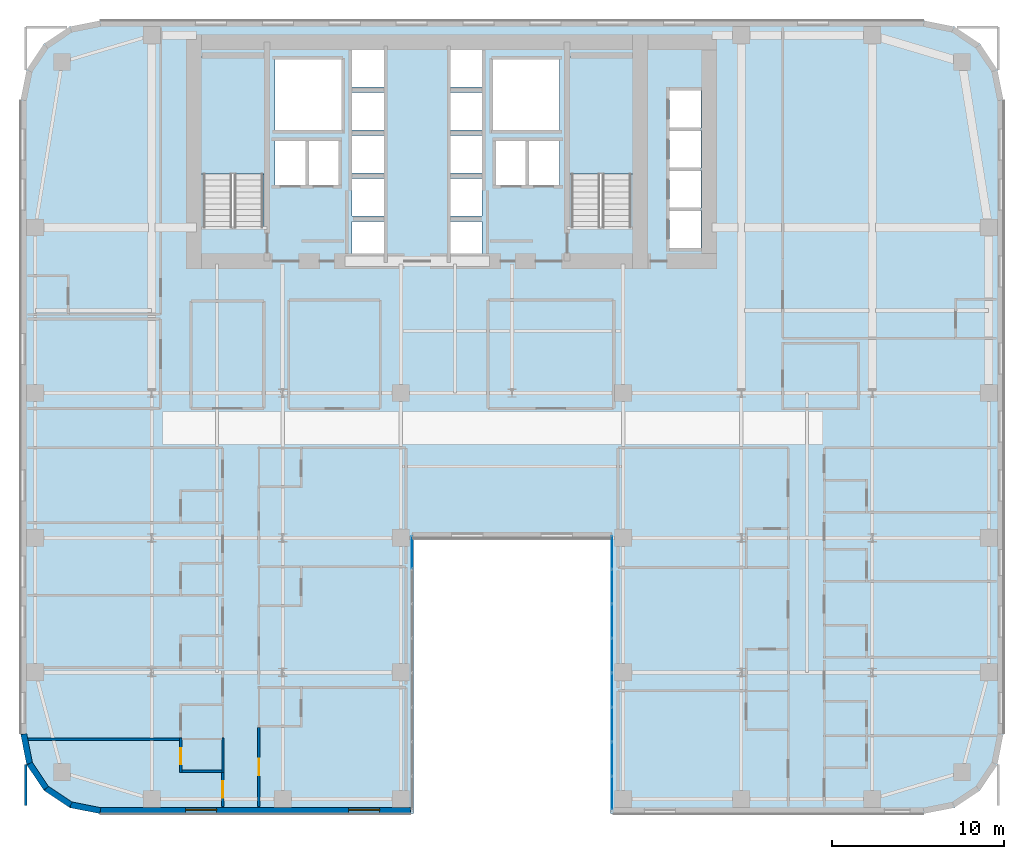
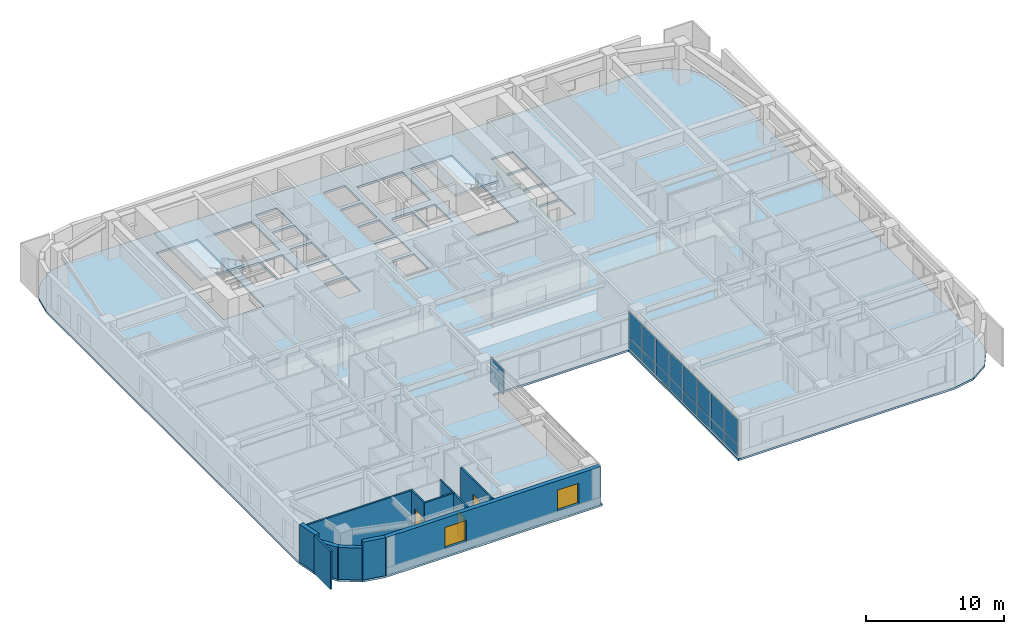
# One storey, part 13 of 25: 17 plates, 12 walls, 3 doors, 3 slabs, 2 windows, 5 openings, 4 elements without a shape of their own.
"""IFC4 building model written with IfcOpenShell, lengths in metres."""

from ifc_helpers import new_model, si_unit, direction, frame, frame_2d, origin, origin_2d, place, context, subcontext, project, spatial, polyline, rectangle, outline, extrude, source, transform, mapped, material, layer, layer_set, type_object, type_shapes, element, fill, aggregate, save


model = new_model("IFC4")

# Units and contexts
model_context = context("Model", 3, precision=1e-05, world=origin(), true_north=direction((0.0, 1.0)))
body_context = subcontext(model_context, "Body", "Model", "MODEL_VIEW")
ifc_project = project(units=[si_unit("LENGTHUNIT", "METRE"), si_unit("AREAUNIT", "SQUARE_METRE"), si_unit("VOLUMEUNIT", "CUBIC_METRE"), si_unit("PLANEANGLEUNIT", "RADIAN"), si_unit("MASSUNIT", "GRAM", prefix="KILO")], contexts=[model_context])

# Site, building, storey
site_placement = place(None, origin())
site = spatial("IfcSite", under=ifc_project, at=site_placement, CompositionType="ELEMENT")
building_placement = place(site_placement, origin())
building = spatial("IfcBuilding", under=site, at=building_placement, Name="Tolvann Quenvar Hotel", CompositionType="ELEMENT")
storey_placement = place(building_placement, frame((0.0, 0.0, 39.10009765625)))
storey = spatial("IfcBuildingStorey", under=building, at=storey_placement, Name="L08", CompositionType="ELEMENT", Elevation=39.10009765625)

# Stair, slab
ifc_material_1 = material(Name="Concrete N40 (40 MPa)", Category="concrete")
stair_type = type_object("IfcStairType", Name="STAIR", PredefinedType="HALF_TURN_STAIR", material=ifc_material_1)
stair_1_placement = place(storey_placement, origin())
stair_1 = element("IfcStair", 1, at=stair_1_placement, inside=storey, type_object=stair_type, Name="L08 ST-C1", PredefinedType="HALF_TURN_STAIR")
ifc_layer_1 = layer(ifc_material_1, 0.199951171875)
ifc_layer_set_1 = layer_set([ifc_layer_1], Name="Concrete N40 (40 MPa)")
slab_type_1 = type_object("IfcSlabType", Name="SLAB_LANDING", PredefinedType="LANDING", material=ifc_layer_set_1)
slab_1_placement = place(storey_placement, frame((0.0, 0.0, 1.574951171875)))
slab_1 = element("IfcSlab", 2, at=slab_1_placement, type_object=slab_type_1, Name="ST-C1 landing 1", PredefinedType="LANDING", context=body_context, shape_type="SweptSolid", body=[
    extrude(outline(polyline([(14.179931640625, 37.10498046875), (14.179931640625, 43.8798828125), (10.469970703125, 43.8798828125), (10.469970703125, 37.10498046875), (14.179931640625, 37.10498046875)])), origin(), (0.0, 0.0, 1.0), 0.199951171875),
])
aggregate(stair_1, [slab_1])

stair_2_placement = place(storey_placement, origin())
stair_2 = element("IfcStair", 3, at=stair_2_placement, inside=storey, type_object=stair_type, Name="L08 ST-C2", PredefinedType="HALF_TURN_STAIR")
slab_2_placement = place(storey_placement, frame((0.0, 0.0, 1.574951171875)))
slab_2 = element("IfcSlab", 4, at=slab_2_placement, type_object=slab_type_1, Name="ST-C2 landing 1", PredefinedType="LANDING", context=body_context, shape_type="SweptSolid", body=[
    extrude(outline(polyline([(35.530029296875, 37.10498046875), (35.530029296875, 43.8798828125), (31.820068359375, 43.8798828125), (31.820068359375, 37.10498046875), (35.530029296875, 37.10498046875)])), origin(), (0.0, 0.0, 1.0), 0.199951171875),
])
aggregate(stair_2, [slab_2])

# Slab
ifc_layer_2 = layer(ifc_material_1, 0.179931640625)
ifc_layer_set_2 = layer_set([ifc_layer_2], Name="Concrete N40 (40 MPa)")
slab_type_2 = type_object("IfcSlabType", Name="SLAB_TWR_180", PredefinedType="FLOOR", material=ifc_layer_set_2)
slab_3_placement = place(storey_placement, frame((0.0, 0.0, -0.18017578125)))
element("IfcSlab", 5, at=slab_3_placement, inside=storey, type_object=slab_type_2, Name="Level L08 Structural Floor Slab", PredefinedType="FLOOR", context=body_context, shape_type="SweptSolid", body=[
    extrude(outline(polyline([(0.0, 4.60009765625), (0.35009765625, 2.839599609375), (1.347412109375, 1.347412109375), (2.839599609375, 0.35009765625), (4.60009765625, 0.0), (22.800048828125, 0.0), (22.800048828125, 16.0), (34.199951171875, 16.0), (34.199951171875, 0.0), (52.39990234375, 0.0), (54.160400390625, 0.35009765625), (55.652587890625, 1.347412109375), (56.64990234375, 2.839599609375), (57.0, 4.60009765625), (57.0, 41.39990234375), (56.64990234375, 43.160400390625), (55.652587890625, 44.652587890625), (54.160400390625, 45.64990234375), (52.39990234375, 46.0), (4.60009765625, 46.0), (2.839599609375, 45.64990234375), (1.347412109375, 44.652587890625), (0.35009765625, 43.160400390625), (0.0, 41.39990234375), (0.0, 4.60009765625)]), holes=[polyline([(37.6298828125, 41.949951171875), (39.469970703125, 41.949951171875), (39.469970703125, 39.77001953125), (37.6298828125, 39.77001953125), (37.6298828125, 41.949951171875)]), polyline([(37.6298828125, 39.6298828125), (39.469970703125, 39.6298828125), (39.469970703125, 37.449951171875), (37.6298828125, 37.449951171875), (37.6298828125, 39.6298828125)]), polyline([(37.6298828125, 37.31005859375), (39.469970703125, 37.31005859375), (39.469970703125, 35.1298828125), (37.6298828125, 35.1298828125), (37.6298828125, 37.31005859375)]), polyline([(37.6298828125, 34.989990234375), (39.469970703125, 34.989990234375), (39.469970703125, 32.81005859375), (37.6298828125, 32.81005859375), (37.6298828125, 34.989990234375)]), polyline([(31.949951171875, 43.800048828125), (35.39990234375, 43.800048828125), (35.39990234375, 34.02490234375), (31.949951171875, 34.02490234375), (31.949951171875, 43.800048828125)]), polyline([(31.25, 39.02001953125), (31.25, 36.47998046875), (29.449951171875, 36.47998046875), (29.449951171875, 39.02001953125), (31.25, 39.02001953125)]), polyline([(31.25, 43.75), (31.25, 39.64990234375), (27.39990234375, 39.64990234375), (27.39990234375, 43.75), (31.25, 43.75)]), polyline([(27.574951171875, 39.02001953125), (29.324951171875, 39.02001953125), (29.324951171875, 36.47998046875), (27.574951171875, 36.47998046875), (27.574951171875, 39.02001953125)]), polyline([(26.77001953125, 36.840087890625), (26.77001953125, 34.659912109375), (24.929931640625, 34.659912109375), (24.929931640625, 36.840087890625), (26.77001953125, 36.840087890625)]), polyline([(26.77001953125, 44.340087890625), (26.77001953125, 42.159912109375), (24.929931640625, 42.159912109375), (24.929931640625, 44.340087890625), (26.77001953125, 44.340087890625)]), polyline([(26.77001953125, 41.840087890625), (26.77001953125, 39.659912109375), (24.929931640625, 39.659912109375), (24.929931640625, 41.840087890625), (26.77001953125, 41.840087890625)]), polyline([(26.77001953125, 39.340087890625), (26.77001953125, 37.159912109375), (24.929931640625, 37.159912109375), (24.929931640625, 39.340087890625), (26.77001953125, 39.340087890625)]), polyline([(24.929931640625, 34.340087890625), (26.77001953125, 34.340087890625), (26.77001953125, 32.159912109375), (24.929931640625, 32.159912109375), (24.929931640625, 34.340087890625)]), polyline([(21.070068359375, 44.340087890625), (21.070068359375, 42.159912109375), (19.22998046875, 42.159912109375), (19.22998046875, 44.340087890625), (21.070068359375, 44.340087890625)]), polyline([(19.22998046875, 41.840087890625), (21.070068359375, 41.840087890625), (21.070068359375, 39.659912109375), (19.22998046875, 39.659912109375), (19.22998046875, 41.840087890625)]), polyline([(21.070068359375, 39.340087890625), (21.070068359375, 37.159912109375), (19.22998046875, 37.159912109375), (19.22998046875, 39.340087890625), (21.070068359375, 39.340087890625)]), polyline([(19.22998046875, 36.840087890625), (21.070068359375, 36.840087890625), (21.070068359375, 34.659912109375), (19.22998046875, 34.659912109375), (19.22998046875, 36.840087890625)]), polyline([(19.22998046875, 34.340087890625), (21.070068359375, 34.340087890625), (21.070068359375, 32.159912109375), (19.22998046875, 32.159912109375), (19.22998046875, 34.340087890625)]), polyline([(18.60009765625, 43.75), (18.60009765625, 39.64990234375), (14.75, 39.64990234375), (14.75, 43.75), (18.60009765625, 43.75)]), polyline([(16.675048828125, 39.02001953125), (18.425048828125, 39.02001953125), (18.425048828125, 36.47998046875), (16.675048828125, 36.47998046875), (16.675048828125, 39.02001953125)]), polyline([(16.550048828125, 39.02001953125), (16.550048828125, 36.47998046875), (14.75, 36.47998046875), (14.75, 39.02001953125), (16.550048828125, 39.02001953125)]), polyline([(10.60009765625, 43.800048828125), (14.050048828125, 43.800048828125), (14.050048828125, 34.02490234375), (10.60009765625, 34.02490234375), (10.60009765625, 43.800048828125)])]), origin(), (0.0, 0.0, 1.0), 0.18017578125),
])

# Curtain wall, plates
ifc_material_2 = material(Name="Thermally broken anodised architectural aluminium 6063-T6 and laminated low-E glass", Category="aluminium")
ifc_layer_3 = layer(ifc_material_2, 0.179931640625)
ifc_layer_set_3 = layer_set([ifc_layer_3], Name="Thermally broken anodised architectural aluminium 6063-T6 and laminated low-E glass")
curtain_wall_type = type_object("IfcCurtainWallType", Name="CW_SYS_SLOT_03", PredefinedType="USERDEFINED", material=ifc_layer_set_3)
curtain_wall_1_placement = place(storey_placement, origin())
curtain_wall_1 = element("IfcCurtainWall", 6, at=curtain_wall_1_placement, inside=storey, type_object=curtain_wall_type, Name="Curtain Wall CW-SLOT-03 (CWR-L08-E07)", ObjectType="UNITISED CURTAIN WALL", PredefinedType="USERDEFINED")
ifc_material_3 = material(Name="Low-iron laminated double glazing with solar-control coating", Category="glass")
ifc_layer_4 = layer(ifc_material_3, 0.028076171875)
ifc_layer_set_4 = layer_set([ifc_layer_4], Name="Low-iron laminated double glazing with solar-control coating")
plate_type = type_object("IfcPlateType", Name="CW_PAN_VISION_28", PredefinedType="CURTAIN_PANEL", material=ifc_layer_set_4)
shared_shape_1 = source(origin(), body_context, "Body", "SweptSolid", [
    extrude(rectangle(XDim=1.89501953125, YDim=0.028076171875, at=origin_2d()), origin(), (0.0, 0.0, 1.0), 0.9599609375),
])
plate_1_placement = place(storey_placement, frame((34.2900390625, 15.157470703125, 0.059814453125), z_axis=(0.0, 0.0, 1.0), x_axis=(0.0, -1.0, 0.0)))
plate_1 = element("IfcPlate", 7, at=plate_1_placement, type_object=plate_type, Name="CW-SLOT-03 panel 1.1", PredefinedType="CURTAIN_PANEL", context=body_context, shape_type="MappedRepresentation", body=[
    mapped(shared_shape_1, transform((0.0, 0.0, 0.0), x_axis=(1.0, 0.0, 0.0), y_axis=(0.0, 1.0, 0.0), z_axis=(0.0, 0.0, 1.0), scale=1.0)),
])
plate_2_placement = place(storey_placement, frame((34.2900390625, 1.1923828125, 0.059814453125), z_axis=(0.0, 0.0, 1.0), x_axis=(0.0, -1.0, 0.0)))
plate_2 = element("IfcPlate", 8, at=plate_2_placement, type_object=plate_type, Name="CW-SLOT-03 panel 8.1", PredefinedType="CURTAIN_PANEL", context=body_context, shape_type="MappedRepresentation", body=[
    mapped(shared_shape_1, transform((0.0, 0.0, 0.0), x_axis=(1.0, 0.0, 0.0), y_axis=(0.0, 1.0, 0.0), z_axis=(0.0, 0.0, 1.0), scale=1.0)),
])

# Curtain wall, plate
curtain_wall_2_placement = place(storey_placement, origin())
curtain_wall_2 = element("IfcCurtainWall", 9, at=curtain_wall_2_placement, inside=storey, type_object=curtain_wall_type, Name="Curtain Wall CW-SLOT-03 (CWR-L08-E05)", ObjectType="UNITISED CURTAIN WALL", PredefinedType="USERDEFINED")
shared_shape_2 = source(origin(), body_context, "Body", "SweptSolid", [
    extrude(rectangle(XDim=1.89501953125, YDim=0.028076171875, at=origin_2d()), origin(), (0.0, 0.0, 1.0), 2.22998046875),
])
plate_3_placement = place(storey_placement, frame((22.7099609375, 15.157470703125, 1.079833984375), z_axis=(0.0, 0.0, 1.0), x_axis=(0.0, 1.0, 0.0)))
plate_3 = element("IfcPlate", 10, at=plate_3_placement, type_object=plate_type, Name="CW-SLOT-03 panel 8.2", PredefinedType="CURTAIN_PANEL", context=body_context, shape_type="MappedRepresentation", body=[
    mapped(shared_shape_2, transform((0.0, 0.0, 0.0), x_axis=(1.0, 0.0, 0.0), y_axis=(0.0, 1.0, 0.0), z_axis=(0.0, 0.0, 1.0), scale=1.0)),
])
aggregate(curtain_wall_2, [plate_3])

# Plate
plate_4_placement = place(storey_placement, frame((34.2900390625, 15.157470703125, 1.079833984375), z_axis=(0.0, 0.0, 1.0), x_axis=(0.0, -1.0, 0.0)))
plate_4 = element("IfcPlate", 11, at=plate_4_placement, type_object=plate_type, Name="CW-SLOT-03 panel 1.2", PredefinedType="CURTAIN_PANEL", context=body_context, shape_type="MappedRepresentation", body=[
    mapped(shared_shape_2, transform((0.0, 0.0, 0.0), x_axis=(1.0, 0.0, 0.0), y_axis=(0.0, 1.0, 0.0), z_axis=(0.0, 0.0, 1.0), scale=1.0)),
])

plate_5_placement = place(storey_placement, frame((34.2900390625, 1.1923828125, 1.079833984375), z_axis=(0.0, 0.0, 1.0), x_axis=(0.0, -1.0, 0.0)))
plate_5 = element("IfcPlate", 12, at=plate_5_placement, type_object=plate_type, Name="CW-SLOT-03 panel 8.2", PredefinedType="CURTAIN_PANEL", context=body_context, shape_type="MappedRepresentation", body=[
    mapped(shared_shape_2, transform((0.0, 0.0, 0.0), x_axis=(1.0, 0.0, 0.0), y_axis=(0.0, 1.0, 0.0), z_axis=(0.0, 0.0, 1.0), scale=1.0)),
])

shared_shape_3 = source(origin(), body_context, "Body", "SweptSolid", [
    extrude(rectangle(XDim=1.929931640625, YDim=0.028076171875, at=origin_2d()), origin(), (0.0, 0.0, 1.0), 0.9599609375),
])
plate_6_placement = place(storey_placement, frame((34.2900390625, 13.175048828125, 0.059814453125), z_axis=(0.0, 0.0, 1.0), x_axis=(0.0, -1.0, 0.0)))
plate_6 = element("IfcPlate", 13, at=plate_6_placement, type_object=plate_type, Name="CW-SLOT-03 panel 2.1", PredefinedType="CURTAIN_PANEL", context=body_context, shape_type="MappedRepresentation", body=[
    mapped(shared_shape_3, transform((0.0, 0.0, 0.0), x_axis=(1.0, 0.0, 0.0), y_axis=(0.0, 1.0, 0.0), z_axis=(0.0, 0.0, 1.0), scale=1.0)),
])

plate_7_placement = place(storey_placement, frame((34.2900390625, 11.175048828125, 0.059814453125), z_axis=(0.0, 0.0, 1.0), x_axis=(0.0, -1.0, 0.0)))
plate_7 = element("IfcPlate", 14, at=plate_7_placement, type_object=plate_type, Name="CW-SLOT-03 panel 3.1", PredefinedType="CURTAIN_PANEL", context=body_context, shape_type="MappedRepresentation", body=[
    mapped(shared_shape_3, transform((0.0, 0.0, 0.0), x_axis=(1.0, 0.0, 0.0), y_axis=(0.0, 1.0, 0.0), z_axis=(0.0, 0.0, 1.0), scale=1.0)),
])

plate_8_placement = place(storey_placement, frame((34.2900390625, 9.175048828125, 0.059814453125), z_axis=(0.0, 0.0, 1.0), x_axis=(0.0, -1.0, 0.0)))
plate_8 = element("IfcPlate", 15, at=plate_8_placement, type_object=plate_type, Name="CW-SLOT-03 panel 4.1", PredefinedType="CURTAIN_PANEL", context=body_context, shape_type="MappedRepresentation", body=[
    mapped(shared_shape_3, transform((0.0, 0.0, 0.0), x_axis=(1.0, 0.0, 0.0), y_axis=(0.0, 1.0, 0.0), z_axis=(0.0, 0.0, 1.0), scale=1.0)),
])

plate_9_placement = place(storey_placement, frame((34.2900390625, 7.175048828125, 0.059814453125), z_axis=(0.0, 0.0, 1.0), x_axis=(0.0, -1.0, 0.0)))
plate_9 = element("IfcPlate", 16, at=plate_9_placement, type_object=plate_type, Name="CW-SLOT-03 panel 5.1", PredefinedType="CURTAIN_PANEL", context=body_context, shape_type="MappedRepresentation", body=[
    mapped(shared_shape_3, transform((0.0, 0.0, 0.0), x_axis=(1.0, 0.0, 0.0), y_axis=(0.0, 1.0, 0.0), z_axis=(0.0, 0.0, 1.0), scale=1.0)),
])

plate_10_placement = place(storey_placement, frame((34.2900390625, 5.175048828125, 0.059814453125), z_axis=(0.0, 0.0, 1.0), x_axis=(0.0, -1.0, 0.0)))
plate_10 = element("IfcPlate", 17, at=plate_10_placement, type_object=plate_type, Name="CW-SLOT-03 panel 6.1", PredefinedType="CURTAIN_PANEL", context=body_context, shape_type="MappedRepresentation", body=[
    mapped(shared_shape_3, transform((0.0, 0.0, 0.0), x_axis=(1.0, 0.0, 0.0), y_axis=(0.0, 1.0, 0.0), z_axis=(0.0, 0.0, 1.0), scale=1.0)),
])

plate_11_placement = place(storey_placement, frame((34.2900390625, 3.175048828125, 0.059814453125), z_axis=(0.0, 0.0, 1.0), x_axis=(0.0, -1.0, 0.0)))
plate_11 = element("IfcPlate", 18, at=plate_11_placement, type_object=plate_type, Name="CW-SLOT-03 panel 7.1", PredefinedType="CURTAIN_PANEL", context=body_context, shape_type="MappedRepresentation", body=[
    mapped(shared_shape_3, transform((0.0, 0.0, 0.0), x_axis=(1.0, 0.0, 0.0), y_axis=(0.0, 1.0, 0.0), z_axis=(0.0, 0.0, 1.0), scale=1.0)),
])

shared_shape_4 = source(origin(), body_context, "Body", "SweptSolid", [
    extrude(rectangle(XDim=1.929931640625, YDim=0.028076171875, at=origin_2d()), origin(), (0.0, 0.0, 1.0), 2.22998046875),
])
type_shapes(plate_type, [shared_shape_1, shared_shape_2, shared_shape_3, shared_shape_4])
plate_12_placement = place(storey_placement, frame((34.2900390625, 13.175048828125, 1.079833984375), z_axis=(0.0, 0.0, 1.0), x_axis=(0.0, -1.0, 0.0)))
plate_12 = element("IfcPlate", 19, at=plate_12_placement, type_object=plate_type, Name="CW-SLOT-03 panel 2.2", PredefinedType="CURTAIN_PANEL", context=body_context, shape_type="MappedRepresentation", body=[
    mapped(shared_shape_4, transform((0.0, 0.0, 0.0), x_axis=(1.0, 0.0, 0.0), y_axis=(0.0, 1.0, 0.0), z_axis=(0.0, 0.0, 1.0), scale=1.0)),
])

plate_13_placement = place(storey_placement, frame((34.2900390625, 11.175048828125, 1.079833984375), z_axis=(0.0, 0.0, 1.0), x_axis=(0.0, -1.0, 0.0)))
plate_13 = element("IfcPlate", 20, at=plate_13_placement, type_object=plate_type, Name="CW-SLOT-03 panel 3.2", PredefinedType="CURTAIN_PANEL", context=body_context, shape_type="MappedRepresentation", body=[
    mapped(shared_shape_4, transform((0.0, 0.0, 0.0), x_axis=(1.0, 0.0, 0.0), y_axis=(0.0, 1.0, 0.0), z_axis=(0.0, 0.0, 1.0), scale=1.0)),
])

plate_14_placement = place(storey_placement, frame((34.2900390625, 9.175048828125, 1.079833984375), z_axis=(0.0, 0.0, 1.0), x_axis=(0.0, -1.0, 0.0)))
plate_14 = element("IfcPlate", 21, at=plate_14_placement, type_object=plate_type, Name="CW-SLOT-03 panel 4.2", PredefinedType="CURTAIN_PANEL", context=body_context, shape_type="MappedRepresentation", body=[
    mapped(shared_shape_4, transform((0.0, 0.0, 0.0), x_axis=(1.0, 0.0, 0.0), y_axis=(0.0, 1.0, 0.0), z_axis=(0.0, 0.0, 1.0), scale=1.0)),
])

plate_15_placement = place(storey_placement, frame((34.2900390625, 7.175048828125, 1.079833984375), z_axis=(0.0, 0.0, 1.0), x_axis=(0.0, -1.0, 0.0)))
plate_15 = element("IfcPlate", 22, at=plate_15_placement, type_object=plate_type, Name="CW-SLOT-03 panel 5.2", PredefinedType="CURTAIN_PANEL", context=body_context, shape_type="MappedRepresentation", body=[
    mapped(shared_shape_4, transform((0.0, 0.0, 0.0), x_axis=(1.0, 0.0, 0.0), y_axis=(0.0, 1.0, 0.0), z_axis=(0.0, 0.0, 1.0), scale=1.0)),
])

plate_16_placement = place(storey_placement, frame((34.2900390625, 5.175048828125, 1.079833984375), z_axis=(0.0, 0.0, 1.0), x_axis=(0.0, -1.0, 0.0)))
plate_16 = element("IfcPlate", 23, at=plate_16_placement, type_object=plate_type, Name="CW-SLOT-03 panel 6.2", PredefinedType="CURTAIN_PANEL", context=body_context, shape_type="MappedRepresentation", body=[
    mapped(shared_shape_4, transform((0.0, 0.0, 0.0), x_axis=(1.0, 0.0, 0.0), y_axis=(0.0, 1.0, 0.0), z_axis=(0.0, 0.0, 1.0), scale=1.0)),
])

plate_17_placement = place(storey_placement, frame((34.2900390625, 3.175048828125, 1.079833984375), z_axis=(0.0, 0.0, 1.0), x_axis=(0.0, -1.0, 0.0)))
plate_17 = element("IfcPlate", 24, at=plate_17_placement, type_object=plate_type, Name="CW-SLOT-03 panel 7.2", PredefinedType="CURTAIN_PANEL", context=body_context, shape_type="MappedRepresentation", body=[
    mapped(shared_shape_4, transform((0.0, 0.0, 0.0), x_axis=(1.0, 0.0, 0.0), y_axis=(0.0, 1.0, 0.0), z_axis=(0.0, 0.0, 1.0), scale=1.0)),
])

aggregate(curtain_wall_1, [plate_1, plate_4, plate_6, plate_12, plate_7, plate_13, plate_8, plate_14, plate_9, plate_15, plate_10, plate_16, plate_11, plate_17, plate_2, plate_5])

# Walls
ifc_material_4 = material(Name="Kiln-fired red and buff architectural clay brickwork and terracotta masonry", Category="masonry")
ifc_layer_5 = layer(ifc_material_4, 0.35009765625)
ifc_layer_set_5 = layer_set([ifc_layer_5], Name="Kiln-fired red and buff architectural clay brickwork and terracotta masonry")
wall_type_1 = type_object("IfcWallType", Name="WALL_EXT_BRICK_350", PredefinedType="SOLIDWALL", material=ifc_layer_set_5)
for number, where, z_axis, x_axis, name in (
    (25, (0.514892578125, 2.907958984375, 0.0), (0.0, 0.0, 1.0), (0.55554893791, -0.831483840845, 0.0), "Exterior Chicago Brick Wall L08-E01"),
    (26, (1.473388671875, 1.473388671875, 0.0), (0.0, 0.0, 1.0), (0.831483840845, -0.55554893791, 0.0), "Exterior Chicago Brick Wall L08-E02"),
):
    element("IfcWall", number, at=place(storey_placement, frame(where, z_axis=z_axis, x_axis=x_axis)), inside=storey, type_object=wall_type_1, Name=name, PredefinedType="SOLIDWALL", context=body_context, shape_type="SweptSolid", body=[
        extrude(rectangle(XDim=1.725341796875, YDim=0.35009765625, at=frame_2d((0.86279296875, 0.0))), origin(), (0.0, 0.0, 1.0), 2.831787109375),
    ])
wall_1_placement = place(storey_placement, frame((2.907958984375, 0.514892578125, 0.0), z_axis=(0.0, 0.0, 1.0), x_axis=(0.980800971659, -0.195011420161, 0.0)))
element("IfcWall", 27, at=wall_1_placement, inside=storey, type_object=wall_type_1, Name="Exterior Chicago Brick Wall L08-E03", PredefinedType="SOLIDWALL", context=body_context, shape_type="SweptSolid", body=[
    extrude(rectangle(XDim=1.74267578125, YDim=0.35009765625, at=frame_2d((0.871337890625, 0.0))), origin(), (0.0, 0.0, 1.0), 3.369873046875),
])

# Wall, openings, windows
wall_2_placement = place(storey_placement, frame((4.6171875, 0.175048828125, 0.0), z_axis=(0.0, 0.0, 1.0), x_axis=(1.0, 0.0, 0.0)))
wall_2 = element("IfcWall", 28, at=wall_2_placement, inside=storey, type_object=wall_type_1, Name="Exterior Chicago Brick Wall L08-E04", PredefinedType="SOLIDWALL", context=body_context, shape_type="SweptSolid", body=[
    extrude(rectangle(XDim=18.0078125, YDim=0.35009765625, at=frame_2d((9.00390625, 0.0))), origin(), (0.0, 0.0, 1.0), 3.369873046875),
])
opening_1_placement = place(wall_2_placement, frame((4.952880859375, 0.0, 0.679931640625)))
opening_1 = element("IfcOpeningElement", 29, at=opening_1_placement, cuts=wall_2, Name="Opening W-03", PredefinedType="OPENING", context=body_context, shape_type="SweptSolid", body=[
    extrude(rectangle(XDim=1.800048828125, YDim=1.85009765625, at=frame_2d((0.89990234375, 0.925048828125))), frame((0.0, 0.18505859375, 0.0), z_axis=(0.0, -1.0, 0.0), x_axis=(1.0, 0.0, 0.0)), (0.0, 0.0, 1.0), 0.3701171875),
])
opening_2_placement = place(wall_2_placement, frame((14.406982421875, 0.0, 0.679931640625)))
opening_2 = element("IfcOpeningElement", 30, at=opening_2_placement, cuts=wall_2, Name="Opening W-03", PredefinedType="OPENING", context=body_context, shape_type="SweptSolid", body=[
    extrude(rectangle(XDim=1.800048828125, YDim=1.85009765625, at=frame_2d((0.89990234375, 0.925048828125))), frame((0.0, 0.18505859375, 0.0), z_axis=(0.0, -1.0, 0.0), x_axis=(1.0, 0.0, 0.0)), (0.0, 0.0, 1.0), 0.3701171875),
])
ifc_material_5 = material(Name="Thermally broken bronze-anodised aluminium frame with double low-E glazing", Category="aluminium")
window_type = type_object("IfcWindowType", Name="WIN_CHI_1800x2050", PartitioningType="TRIPLE_PANEL_HORIZONTAL", PredefinedType="WINDOW", material=ifc_material_5)
shared_shape_5 = source(origin(), body_context, "Body", "SweptSolid", [
    extrude(rectangle(XDim=1.800048828125, YDim=1.85009765625, at=frame_2d((0.89990234375, 0.925048828125))), frame((0.0, 0.090087890625, 0.0), z_axis=(0.0, -1.0, 0.0), x_axis=(1.0, 0.0, 0.0)), (0.0, 0.0, 1.0), 0.06005859375),
])
type_shapes(window_type, [shared_shape_5])
window_1_placement = place(opening_1_placement, origin())
window_1 = element("IfcWindow", 31, at=window_1_placement, inside=storey, type_object=window_type, Name="Chicago Window W-03 (EW-L08-E04-W01)", OverallHeight=1.85009765625, OverallWidth=1.800048828125, PartitioningType="TRIPLE_PANEL_HORIZONTAL", PredefinedType="WINDOW", context=body_context, shape_type="MappedRepresentation", body=[
    mapped(shared_shape_5, transform((0.0, 0.0, 0.0), x_axis=(1.0, 0.0, 0.0), y_axis=(0.0, 1.0, 0.0), z_axis=(0.0, 0.0, 1.0), scale=1.0)),
])
fill(opening_1, window_1)
window_2_placement = place(opening_2_placement, origin())
window_2 = element("IfcWindow", 32, at=window_2_placement, inside=storey, type_object=window_type, Name="Chicago Window W-03 (EW-L08-E04-W02)", OverallHeight=1.85009765625, OverallWidth=1.800048828125, PartitioningType="TRIPLE_PANEL_HORIZONTAL", PredefinedType="WINDOW", context=body_context, shape_type="MappedRepresentation", body=[
    mapped(shared_shape_5, transform((0.0, 0.0, 0.0), x_axis=(1.0, 0.0, 0.0), y_axis=(0.0, 1.0, 0.0), z_axis=(0.0, 0.0, 1.0), scale=1.0)),
])
fill(opening_2, window_2)

# Walls
wall_3_placement = place(storey_placement, frame((0.175048828125, 4.6171875, 0.0), z_axis=(0.0, 0.0, 1.0), x_axis=(0.195011420161, -0.980800971659, 0.0)))
element("IfcWall", 33, at=wall_3_placement, inside=storey, type_object=wall_type_1, Name="Exterior Chicago Brick Wall L08-E24", PredefinedType="SOLIDWALL", context=body_context, shape_type="SweptSolid", body=[
    extrude(rectangle(XDim=1.74267578125, YDim=0.35009765625, at=frame_2d((0.871337890625, 0.0))), origin(), (0.0, 0.0, 1.0), 3.369873046875),
])
ifc_material_6 = material(Name="Moisture-resistant acoustic plumbing wall assembly")
ifc_layer_6 = layer(ifc_material_6, 0.1201171875)
ifc_layer_set_6 = layer_set([ifc_layer_6], Name="Moisture-resistant acoustic plumbing wall assembly")
wall_type_2 = type_object("IfcWallType", Name="WALL_PART_BATH_120", PredefinedType="PLUMBINGWALL", material=ifc_layer_set_6)
wall_4_placement = place(storey_placement, frame((11.72998046875, 2.39990234375, 0.0), z_axis=(0.0, 0.0, 1.0), x_axis=(0.0, 1.0, 0.0)))
element("IfcWall", 34, at=wall_4_placement, inside=storey, type_object=wall_type_2, Name="Non-Rated Plumbing Partition PT-SPC-L08-ENS-WO01-E", PredefinedType="PLUMBINGWALL", context=body_context, shape_type="SweptSolid", body=[
    extrude(rectangle(XDim=1.989990234375, YDim=0.1201171875, at=frame_2d((0.9951171875, 0.0))), origin(), (0.0, 0.0, 1.0), 3.369873046875),
])

# Wall, opening, door
ifc_material_7 = material(Name="Acoustic twin-stud fire-rated gypsum plasterboard partition")
ifc_layer_7 = layer(ifc_material_7, 0.14990234375)
ifc_layer_set_7 = layer_set([ifc_layer_7], Name="Acoustic twin-stud fire-rated gypsum plasterboard partition")
wall_type_3 = type_object("IfcWallType", Name="WALL_PART_SUITE_150", PredefinedType="PARTITIONING", material=ifc_layer_set_7)
wall_5_placement = place(storey_placement, frame((9.280029296875, 2.39990234375, 0.0), z_axis=(0.0, 0.0, 1.0), x_axis=(0.0, 1.0, 0.0)))
wall_5 = element("IfcWall", 35, at=wall_5_placement, inside=storey, type_object=wall_type_3, Name="Interior Partition PT-SPC-L08-ENS-WO01-ENT", PredefinedType="PARTITIONING", context=body_context, shape_type="SweptSolid", body=[
    extrude(rectangle(XDim=1.989990234375, YDim=0.14990234375, at=frame_2d((0.9951171875, 0.0))), origin(), (0.0, 0.0, 1.0), 3.369873046875),
])
opening_3_placement = place(wall_5_placement, frame((0.465087890625, 0.0, 0.0)))
opening_3 = element("IfcOpeningElement", 36, at=opening_3_placement, cuts=wall_5, Name="Opening WD-01", PredefinedType="OPENING", context=body_context, shape_type="SweptSolid", body=[
    extrude(rectangle(XDim=0.919921875, YDim=2.010009765625, at=frame_2d((0.4599609375, 1.0048828125))), frame((0.0, 0.0849609375, 0.0), z_axis=(0.0, -1.0, 0.0), x_axis=(1.0, 0.0, 0.0)), (0.0, 0.0, 1.0), 0.169921875),
])
ifc_material_8 = material(Name="Solid-core American oak acoustic fire door leaf in steel frame", Category="steel")
door_type_1 = type_object("IfcDoorType", Name="DOOR_WC_920", OperationType="NOTDEFINED", PredefinedType="DOOR", material=ifc_material_8)
shared_shape_6 = source(origin(), body_context, "Body", "SweptSolid", [
    extrude(rectangle(XDim=0.919921875, YDim=2.010009765625, at=frame_2d((0.4599609375, 1.0048828125))), frame((0.0, 0.02490234375, 0.0), z_axis=(0.0, -1.0, 0.0), x_axis=(1.0, 0.0, 0.0)), (0.0, 0.0, 1.0), 0.050048828125),
])
type_shapes(door_type_1, [shared_shape_6])
door_1_placement = place(opening_3_placement, origin())
door_1 = element("IfcDoor", 37, at=door_1_placement, inside=storey, type_object=door_type_1, Name="Interior Door DOOR-SPC-L08-ENS-WO01", OperationType="SINGLE_SWING_RIGHT", OverallHeight=2.010009765625, OverallWidth=0.919921875, PredefinedType="DOOR", context=body_context, shape_type="MappedRepresentation", body=[
    mapped(shared_shape_6, transform((0.0, 0.0, 0.0), x_axis=(1.0, 0.0, 0.0), y_axis=(0.0, 1.0, 0.0), z_axis=(0.0, 0.0, 1.0), scale=1.0)),
])
fill(opening_3, door_1)

# Wall
wall_6_placement = place(storey_placement, frame((9.2099609375, 2.469970703125, 0.0), z_axis=(0.0, 0.0, 1.0), x_axis=(1.0, 0.0, 0.0)))
element("IfcWall", 38, at=wall_6_placement, inside=storey, type_object=wall_type_3, Name="Interior Partition PT-SPC-L08-ENS-WO01-S", PredefinedType="PARTITIONING", context=body_context, shape_type="SweptSolid", body=[
    extrude(rectangle(XDim=2.590087890625, YDim=0.14990234375, at=frame_2d((1.294921875, 0.0))), origin(), (0.0, 0.0, 1.0), 3.369873046875),
])

# Wall, opening, door
wall_7_placement = place(storey_placement, frame((11.72998046875, 0.405029296875, 0.0), z_axis=(0.0, 0.0, 1.0), x_axis=(0.0, 1.0, 0.0)))
wall_7 = element("IfcWall", 39, at=wall_7_placement, inside=storey, type_object=wall_type_3, Name="Interior Partition PT-SPC-L08-RM-WO01-ENT", PredefinedType="PARTITIONING", context=body_context, shape_type="SweptSolid", body=[
    extrude(rectangle(XDim=1.98486328125, YDim=0.14990234375, at=frame_2d((0.992431640625, 0.0))), origin(), (0.0, 0.0, 1.0), 3.369873046875),
])
opening_4_placement = place(wall_7_placement, frame((0.510009765625, 0.0, 0.0)))
opening_4 = element("IfcOpeningElement", 40, at=opening_4_placement, cuts=wall_7, Name="Opening SD-01", PredefinedType="OPENING", context=body_context, shape_type="SweptSolid", body=[
    extrude(rectangle(XDim=0.97998046875, YDim=2.1201171875, at=frame_2d((0.489990234375, 1.06005859375))), frame((0.0, 0.0849609375, 0.0), z_axis=(0.0, -1.0, 0.0), x_axis=(1.0, 0.0, 0.0)), (0.0, 0.0, 1.0), 0.169921875),
])
door_type_2 = type_object("IfcDoorType", Name="DOOR_SUITE_980", OperationType="NOTDEFINED", PredefinedType="DOOR", material=ifc_material_8)
shared_shape_7 = source(origin(), body_context, "Body", "SweptSolid", [
    extrude(rectangle(XDim=0.97998046875, YDim=2.1201171875, at=frame_2d((0.489990234375, 1.06005859375))), frame((0.0, 0.02490234375, 0.0), z_axis=(0.0, -1.0, 0.0), x_axis=(1.0, 0.0, 0.0)), (0.0, 0.0, 1.0), 0.050048828125),
])
type_shapes(door_type_2, [shared_shape_7])
door_2_placement = place(opening_4_placement, origin())
door_2 = element("IfcDoor", 41, at=door_2_placement, inside=storey, type_object=door_type_2, Name="Interior Door DOOR-SPC-L08-RM-WO01", OperationType="SINGLE_SWING_RIGHT", OverallHeight=2.1201171875, OverallWidth=0.97998046875, PredefinedType="DOOR", context=body_context, shape_type="MappedRepresentation", body=[
    mapped(shared_shape_7, transform((0.0, 0.0, 0.0), x_axis=(1.0, 0.0, 0.0), y_axis=(0.0, 1.0, 0.0), z_axis=(0.0, 0.0, 1.0), scale=1.0)),
])
fill(opening_4, door_2)

# Walls
wall_8_placement = place(storey_placement, frame((0.43701171875, 4.320068359375, 0.0), z_axis=(0.0, 0.0, 1.0), x_axis=(1.0, 0.0, 0.0)))
element("IfcWall", 42, at=wall_8_placement, inside=storey, type_object=wall_type_3, Name="Interior Partition PT-SPC-L08-RM-WO01-E5", PredefinedType="PARTITIONING", context=body_context, shape_type="SweptSolid", body=[
    extrude(rectangle(XDim=8.762939453125, YDim=0.14990234375, at=frame_2d((4.38134765625, 0.0))), origin(), (0.0, 0.0, 1.0), 3.369873046875),
])
wall_9_placement = place(storey_placement, frame((0.300048828125, 0.47998046875, 0.0), z_axis=(0.0, 0.0, 1.0), x_axis=(0.0, 1.0, 0.0)))
element("IfcWall", 43, at=wall_9_placement, inside=storey, type_object=wall_type_3, Name="Interior Partition PT-SPC-L08-RM-WO01-E6", PredefinedType="PARTITIONING", context=body_context, shape_type="SweptSolid", body=[
    extrude(rectangle(XDim=2.385009765625, YDim=0.14990234375, at=frame_2d((1.1923828125, 0.0))), origin(), (0.0, 0.0, 1.0), 3.369873046875),
])

# Wall, opening, door
wall_10_placement = place(storey_placement, frame((13.820068359375, 0.405029296875, 0.0), z_axis=(0.0, 0.0, 1.0), x_axis=(0.0, 1.0, 0.0)))
wall_10 = element("IfcWall", 44, at=wall_10_placement, inside=storey, type_object=wall_type_3, Name="Interior Partition PT-SPC-L08-RM-WI01-ENT", PredefinedType="PARTITIONING", context=body_context, shape_type="SweptSolid", body=[
    extrude(rectangle(XDim=4.5849609375, YDim=0.14990234375, at=frame_2d((2.29248046875, 0.0))), origin(), (0.0, 0.0, 1.0), 3.369873046875),
])
opening_5_placement = place(wall_10_placement, frame((1.81005859375, 0.0, 0.0)))
opening_5 = element("IfcOpeningElement", 45, at=opening_5_placement, cuts=wall_10, Name="Opening SD-01", PredefinedType="OPENING", context=body_context, shape_type="SweptSolid", body=[
    extrude(rectangle(XDim=0.97998046875, YDim=2.1201171875, at=frame_2d((0.489990234375, 1.06005859375))), frame((0.0, 0.0849609375, 0.0), z_axis=(0.0, -1.0, 0.0), x_axis=(1.0, 0.0, 0.0)), (0.0, 0.0, 1.0), 0.169921875),
])
door_3_placement = place(opening_5_placement, origin())
door_3 = element("IfcDoor", 46, at=door_3_placement, inside=storey, type_object=door_type_2, Name="Interior Door DOOR-SPC-L08-RM-WI01", OperationType="SINGLE_SWING_LEFT", OverallHeight=2.1201171875, OverallWidth=0.97998046875, PredefinedType="DOOR", context=body_context, shape_type="MappedRepresentation", body=[
    mapped(shared_shape_7, transform((0.0, 0.0, 0.0), x_axis=(1.0, 0.0, 0.0), y_axis=(0.0, 1.0, 0.0), z_axis=(0.0, 0.0, 1.0), scale=1.0)),
])
fill(opening_5, door_3)

save(model, "model.ifc")
